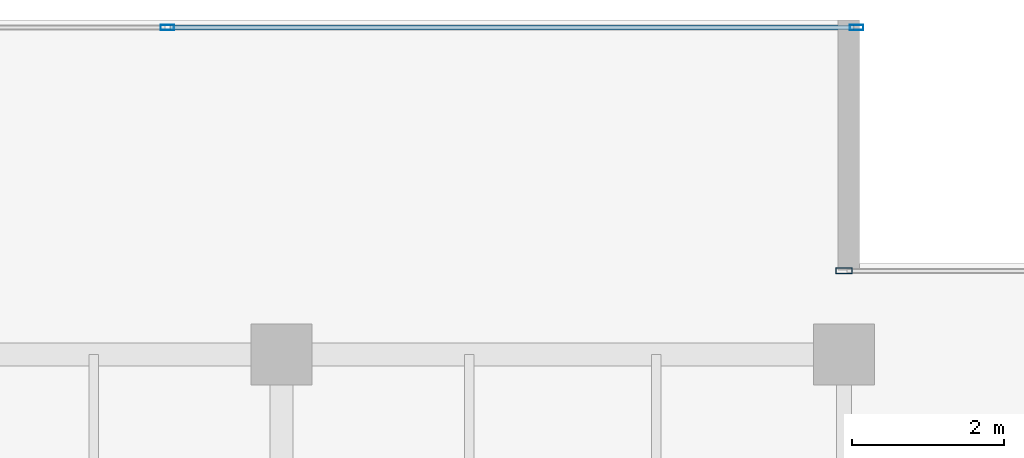
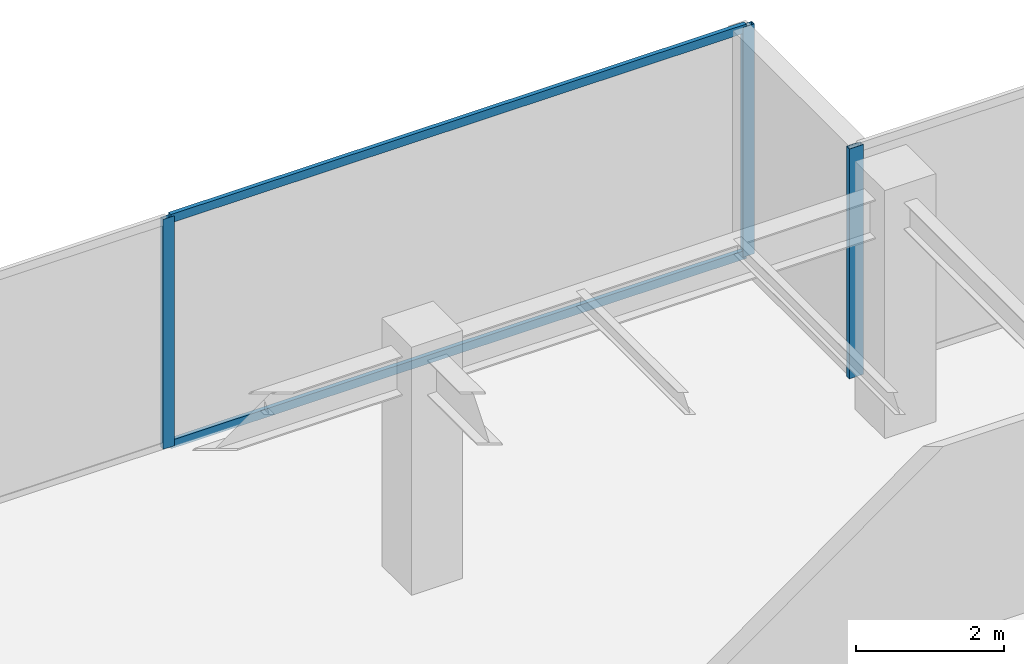
# One storey, part 21 of 33: 5 members, 2 elements without a shape of their own.
"""IFC4 building model written with IfcOpenShell, lengths in metres."""

from ifc_helpers import new_model, si_unit, direction, frame, origin, origin_2d, place, context, subcontext, project, spatial, hollow_rectangle, extrude, source, transform, mapped, material, layer, layer_set, material_profile, profile_set, type_object, type_shapes, element, aggregate, save


model = new_model("IFC4")

# Units and contexts
model_context = context("Model", 3, precision=1e-05, world=origin(), true_north=direction((0.0, 1.0)))
body_context = subcontext(model_context, "Body", "Model", "MODEL_VIEW")
ifc_project = project(units=[si_unit("LENGTHUNIT", "METRE"), si_unit("AREAUNIT", "SQUARE_METRE"), si_unit("VOLUMEUNIT", "CUBIC_METRE"), si_unit("PLANEANGLEUNIT", "RADIAN"), si_unit("MASSUNIT", "GRAM", prefix="KILO")], contexts=[model_context])

# Site, building, storey
site_placement = place(None, origin())
site = spatial("IfcSite", under=ifc_project, at=site_placement, CompositionType="ELEMENT")
building_placement = place(site_placement, origin())
building = spatial("IfcBuilding", under=site, at=building_placement, Name="Haelvirn Gate Laboratories", CompositionType="ELEMENT")
storey_placement = place(building_placement, frame((0.0, 0.0, 279.300048828125)))
storey = spatial("IfcBuildingStorey", under=building, at=storey_placement, Name="L67", CompositionType="ELEMENT", Elevation=279.300048828125)

# Curtain wall, members
ifc_material_1 = material(Name="Anodised bronze unitised aluminium & triple low-E glass", Category="aluminium")
ifc_layer_1 = layer(ifc_material_1, 0.176025390625, Name="CW-SYS-4")
ifc_layer_set_1 = layer_set([ifc_layer_1], Name="Anodised bronze unitised aluminium & triple low-E glass")
curtain_wall_type_1 = type_object("IfcCurtainWallType", Name="CW-SYS-4", PredefinedType="NOTDEFINED", material=ifc_layer_set_1)
curtain_wall_1_placement = place(storey_placement, origin())
curtain_wall_1 = element("IfcCurtainWall", 1, at=curtain_wall_1_placement, inside=storey, type_object=curtain_wall_type_1, Name="L67 Unitised Curtain Wall CW-L67-P0-E10-1", PredefinedType="NOTDEFINED")
ifc_material_2 = material(Name="Extruded aluminium 6063-T6 (anodised bronze)", Category="aluminium")
ifc_material_profile_1 = material_profile(ifc_material_2, hollow_rectangle(XDim=0.06494140625, YDim=0.139892578125, WallThickness=0.00390625, at=origin_2d()), Name="CWT-140x65x4")
ifc_profile_set_1 = profile_set([ifc_material_profile_1], Name="Extruded aluminium 6063-T6 (anodised bronze)")
member_type_1 = type_object("IfcMemberType", Name="CWT-T140", PredefinedType="USERDEFINED", material=ifc_profile_set_1)
shared_shape_1 = source(origin(), body_context, "Body", "SweptSolid", [
    extrude(hollow_rectangle(XDim=0.06494140625, YDim=0.139892578125, WallThickness=0.00390625, at=origin_2d()), origin(), (0.0, 0.0, 1.0), 8.9951171875),
])
type_shapes(member_type_1, [shared_shape_1])
member_1_placement = place(storey_placement, frame((58.534912109375, 45.89990234375, 0.032470703125), z_axis=(1.0, 0.0, 0.0), x_axis=(0.0, 1.0, 0.0)))
member_1 = element("IfcMember", 2, at=member_1_placement, type_object=member_type_1, Name="CW4 transom 2.1", ObjectType="TRANSOM", PredefinedType="USERDEFINED", context=body_context, shape_type="MappedRepresentation", body=[
    mapped(shared_shape_1, transform((0.0, 0.0, 0.0), scale=1.0)),
])
member_2_placement = place(storey_placement, frame((58.534912109375, 45.89990234375, 3.767333984375), z_axis=(1.0, 0.0, 0.0), x_axis=(0.0, 1.0, 0.0)))
member_2 = element("IfcMember", 3, at=member_2_placement, type_object=member_type_1, Name="CW4 transom 2.2", ObjectType="TRANSOM", PredefinedType="USERDEFINED", context=body_context, shape_type="MappedRepresentation", body=[
    mapped(shared_shape_1, transform((0.0, 0.0, 0.0), scale=1.0)),
])
ifc_material_profile_2 = material_profile(ifc_material_2, hollow_rectangle(XDim=0.070068359375, YDim=0.179931640625, WallThickness=0.0048828125, at=origin_2d()), Name="CWM-180x70x5")
ifc_profile_set_2 = profile_set([ifc_material_profile_2], Name="Extruded aluminium 6063-T6 (anodised bronze)")
member_type_2 = type_object("IfcMemberType", Name="CWM-T180", PredefinedType="MULLION", material=ifc_profile_set_2)
shared_shape_2 = source(origin(), body_context, "Body", "SweptSolid", [
    extrude(hollow_rectangle(XDim=0.070068359375, YDim=0.179931640625, WallThickness=0.0048828125, at=origin_2d()), origin(), (0.0, 0.0, 1.0), 3.800048828125),
])
type_shapes(member_type_2, [shared_shape_2])
member_3_placement = place(storey_placement, frame((58.5, 45.89990234375, 0.0), z_axis=(0.0, 0.0, 1.0), x_axis=(0.0, 1.0, 0.0)))
member_3 = element("IfcMember", 4, at=member_3_placement, type_object=member_type_2, Name="CW4 mullion 2", PredefinedType="MULLION", context=body_context, shape_type="MappedRepresentation", body=[
    mapped(shared_shape_2, transform((0.0, 0.0, 0.0), scale=1.0)),
])
member_4_placement = place(storey_placement, frame((67.56494140625, 45.89990234375, 0.0), z_axis=(0.0, 0.0, 1.0), x_axis=(0.0, 1.0, 0.0)))
member_4 = element("IfcMember", 5, at=member_4_placement, type_object=member_type_2, Name="CW4 mullion 3", PredefinedType="MULLION", context=body_context, shape_type="MappedRepresentation", body=[
    mapped(shared_shape_2, transform((0.0, 0.0, 0.0), scale=1.0)),
])
aggregate(curtain_wall_1, [member_3, member_4, member_1, member_2])

# Curtain wall, member
ifc_layer_2 = layer(ifc_material_1, 0.181884765625, Name="CW-SYS-5")
ifc_layer_set_2 = layer_set([ifc_layer_2], Name="Anodised bronze unitised aluminium & triple low-E glass")
curtain_wall_type_2 = type_object("IfcCurtainWallType", Name="CW-SYS-5", PredefinedType="NOTDEFINED", material=ifc_layer_set_2)
curtain_wall_2_placement = place(storey_placement, origin())
curtain_wall_2 = element("IfcCurtainWall", 6, at=curtain_wall_2_placement, inside=storey, type_object=curtain_wall_type_2, Name="L67 Unitised Curtain Wall CW-L67-P0-E08-1", PredefinedType="NOTDEFINED")
ifc_material_profile_3 = material_profile(ifc_material_2, hollow_rectangle(XDim=0.080078125, YDim=0.219970703125, WallThickness=0.006103515625, at=origin_2d()), Name="CWM-220x80x6")
ifc_profile_set_3 = profile_set([ifc_material_profile_3], Name="Extruded aluminium 6063-T6 (anodised bronze)")
member_type_3 = type_object("IfcMemberType", Name="CWM-T220", PredefinedType="MULLION", material=ifc_profile_set_3)
shared_shape_3 = source(origin(), body_context, "Body", "SweptSolid", [
    extrude(hollow_rectangle(XDim=0.080078125, YDim=0.219970703125, WallThickness=0.006103515625, at=origin_2d()), origin(), (0.0, 0.0, 1.0), 3.800048828125),
])
type_shapes(member_type_3, [shared_shape_3])
member_5_placement = place(storey_placement, frame((67.39990234375, 42.699951171875, 0.0), z_axis=(0.0, 0.0, 1.0), x_axis=(0.0, 1.0, 0.0)))
member_5 = element("IfcMember", 7, at=member_5_placement, type_object=member_type_3, Name="CW5 mullion 1", PredefinedType="MULLION", context=body_context, shape_type="MappedRepresentation", body=[
    mapped(shared_shape_3, transform((0.0, 0.0, 0.0), scale=1.0)),
])
aggregate(curtain_wall_2, [member_5])

save(model, "model.ifc")
